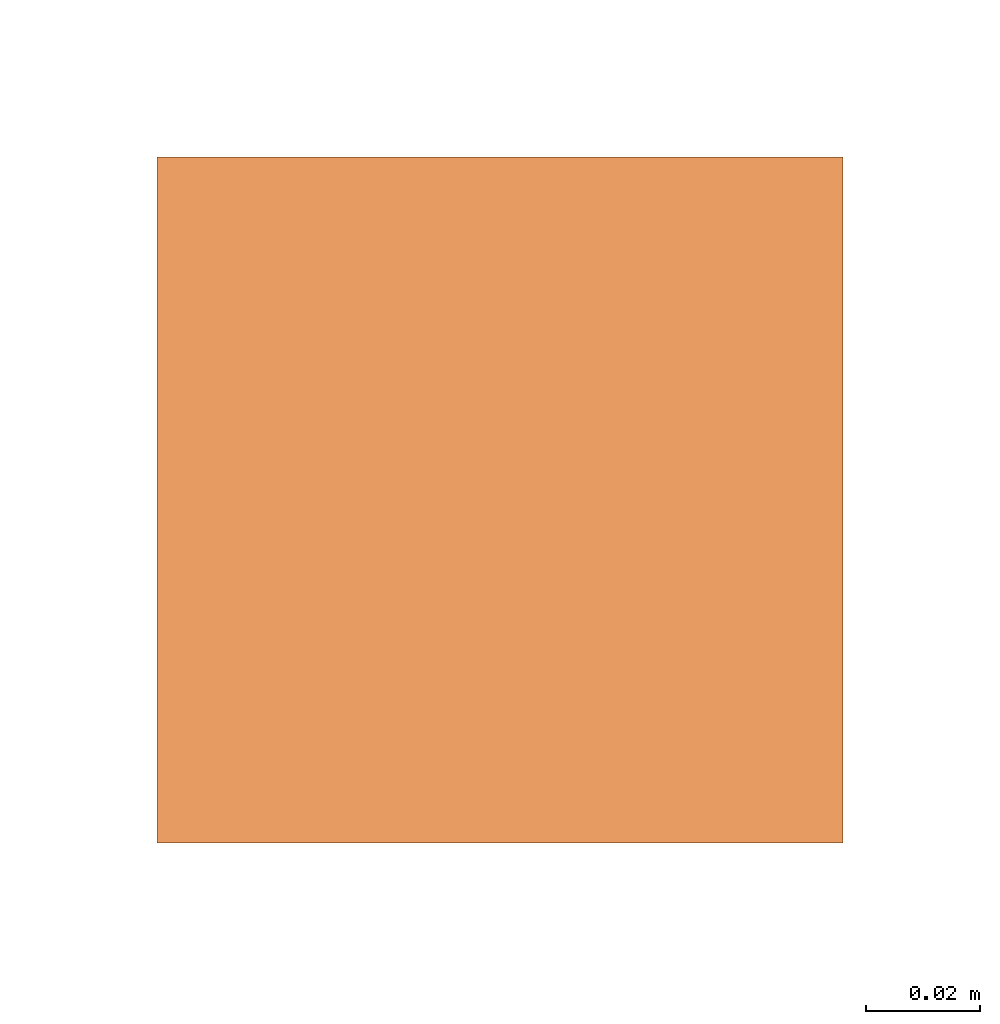
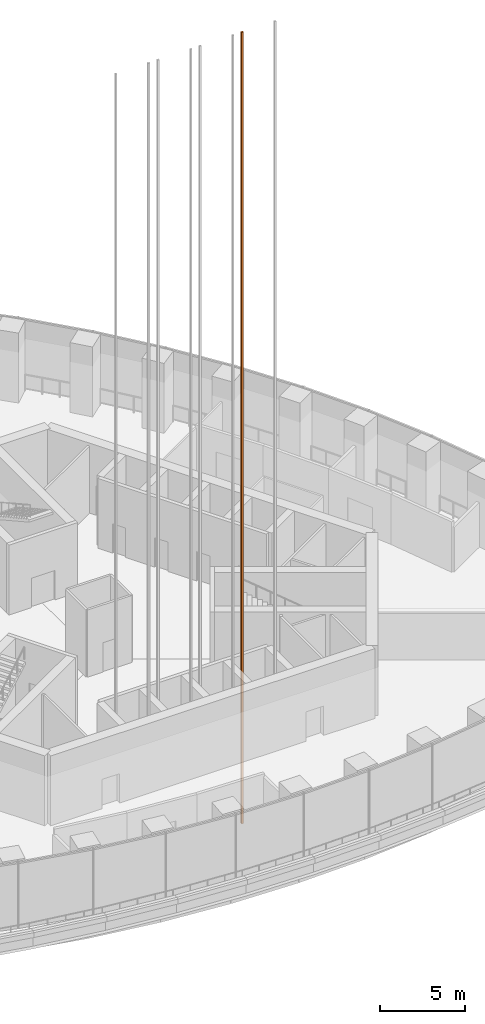
# One storey, part 25 of 26: 1 proxy.
"""IFC4 building model written with IfcOpenShell, lengths in metres."""

from ifc_helpers import new_model, si_unit, direction, frame, origin, origin_2d, place, context, subcontext, project, spatial, rectangle, extrude, element, save


model = new_model("IFC4")

# Units and contexts
model_context = context("Model", 3, precision=1e-05, world=origin(), true_north=direction((0.0, 1.0)))
body_context = subcontext(model_context, "Body", "Model", "MODEL_VIEW")
ifc_project = project(units=[si_unit("LENGTHUNIT", "METRE"), si_unit("AREAUNIT", "SQUARE_METRE"), si_unit("VOLUMEUNIT", "CUBIC_METRE"), si_unit("PLANEANGLEUNIT", "RADIAN"), si_unit("MASSUNIT", "GRAM", prefix="KILO")], contexts=[model_context])

# Site, building, storey
site_placement = place(None, origin())
site = spatial("IfcSite", under=ifc_project, at=site_placement, CompositionType="ELEMENT")
building_placement = place(site_placement, origin())
building = spatial("IfcBuilding", under=site, at=building_placement, Name="Trefoil Bronze Tower", CompositionType="ELEMENT")
storey_placement = place(building_placement, frame((0.0, 0.0, 271.300048828125)))
storey = spatial("IfcBuildingStorey", under=building, at=storey_placement, Name="L62", CompositionType="ELEMENT", Elevation=271.300048828125)

# Proxy
proxy_placement = place(storey_placement, frame((3.1650390625, -11.3125, -6.0), z_axis=(0.0, 0.0, 1.0), x_axis=(1.0, 0.0, 0.0)))
element("IfcBuildingElementProxy", 1, at=proxy_placement, inside=storey, Name="Lift P44 guide rail 1", ObjectType="LIFT GUIDE RAIL", PredefinedType="USERDEFINED", context=body_context, shape_type="SweptSolid", body=[
    extrude(rectangle(XDim=0.1201171875, YDim=0.1201171875, at=origin_2d()), origin(), (0.0, 0.0, 1.0), 56.64990234375),
])

save(model, "model.ifc")
